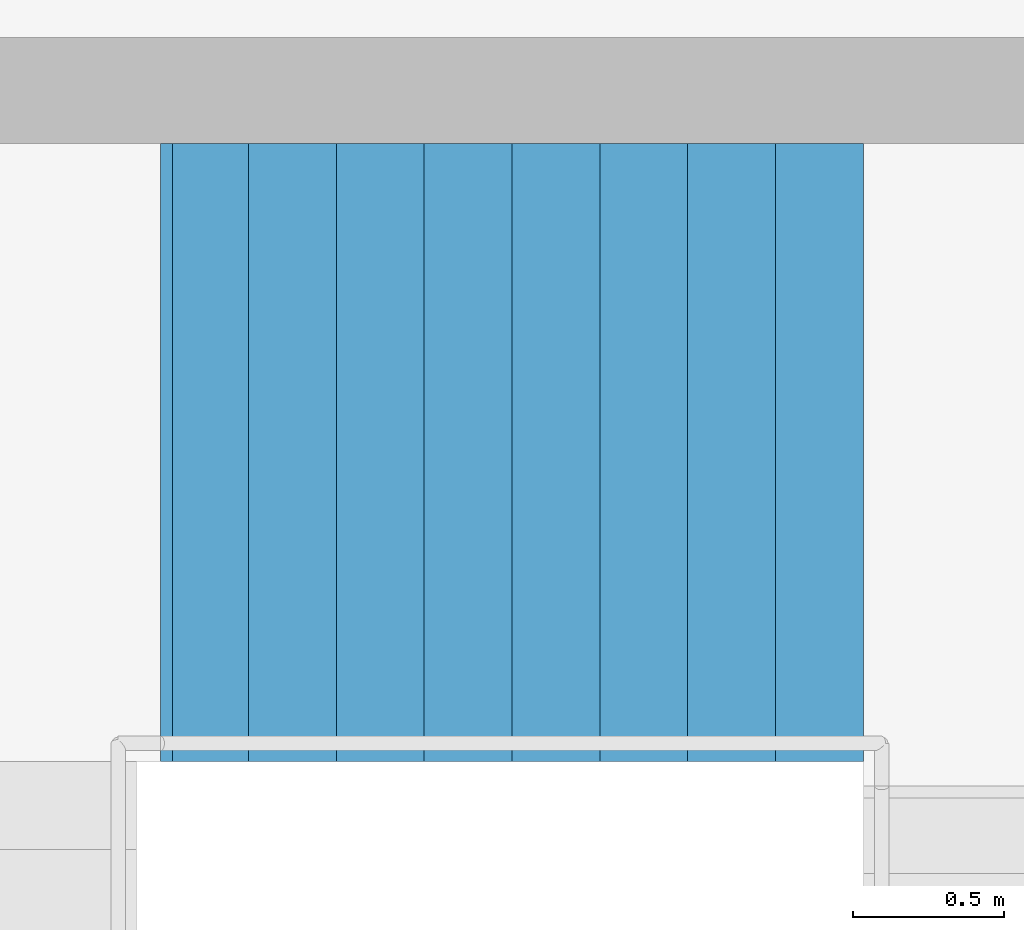
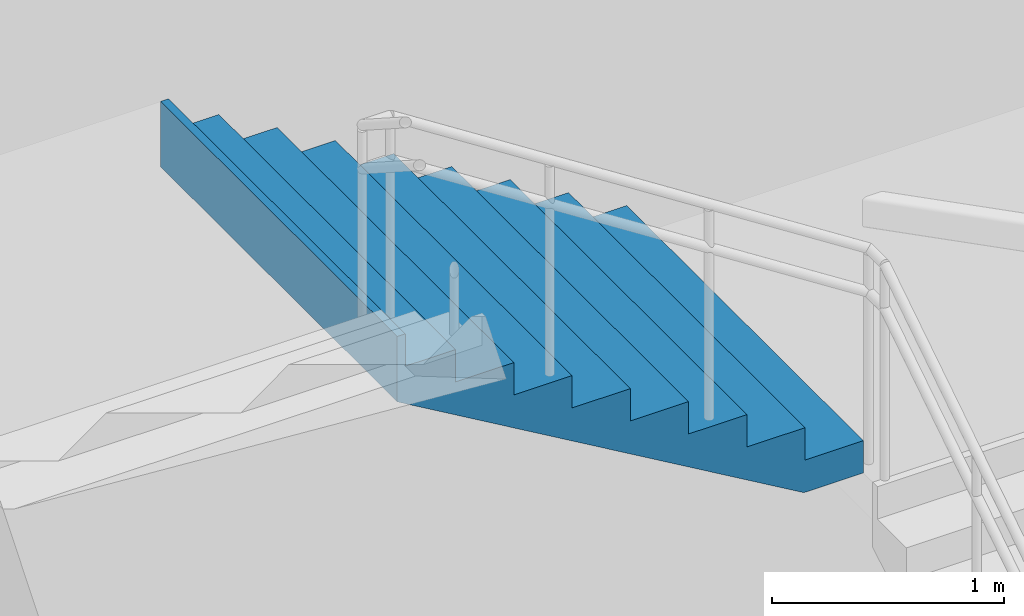
# One storey, part 38 of 46: 1 stair flight, 1 element without a shape of its own.
"""IFC4 building model written with IfcOpenShell, lengths in metres."""

from ifc_helpers import new_model, si_unit, direction, frame, origin, place, context, subcontext, project, spatial, triangles, material, type_object, element, aggregate, save


model = new_model("IFC4")

# Units and contexts
model_context = context("Model", 3, precision=1e-05, world=origin(), true_north=direction((0.0, 1.0)))
body_context = subcontext(model_context, "Body", "Model", "MODEL_VIEW")
ifc_project = project(units=[si_unit("LENGTHUNIT", "METRE"), si_unit("AREAUNIT", "SQUARE_METRE"), si_unit("VOLUMEUNIT", "CUBIC_METRE"), si_unit("PLANEANGLEUNIT", "RADIAN"), si_unit("MASSUNIT", "GRAM", prefix="KILO")], contexts=[model_context])

# Site, building, storey
site_placement = place(None, origin())
site = spatial("IfcSite", under=ifc_project, at=site_placement, CompositionType="ELEMENT")
building_placement = place(site_placement, origin())
building = spatial("IfcBuilding", under=site, at=building_placement, Name="Sillaruma Civic Art Gallery", CompositionType="ELEMENT")
storey_placement = place(building_placement, frame((0.0, 0.0, 16.320068359375)))
storey = spatial("IfcBuildingStorey", under=building, at=storey_placement, Name="L03", CompositionType="ELEMENT", Elevation=16.320068359375)

# Stair, stair flight
ifc_material = material(Name="Concrete H35 (35 MPa)", Category="concrete")
stair_type = type_object("IfcStairType", Name="STR-4F-36", PredefinedType="USERDEFINED", material=ifc_material)
stair_placement = place(storey_placement, origin())
stair = element("IfcStair", 1, at=stair_placement, inside=storey, type_object=stair_type, Name="Protected Exit Stair ST-04 (East Bar) (L03)", ObjectType="THREE_RETURN_STAIR", PredefinedType="USERDEFINED")
stair_flight_type = type_object("IfcStairFlightType", Name="SFL-STR-9", PredefinedType="STRAIGHT", material=ifc_material)
stair_flight_placement = place(storey_placement, frame((103.300048828125, 56.669921875, 3.059814453125), z_axis=(0.0, 0.0, 1.0), x_axis=(-1.0, 0.0, 0.0)))
stair_flight = element("IfcStairFlight", 2, at=stair_flight_placement, type_object=stair_flight_type, Name="ST-04 flight 3", NumberOfRisers=9, NumberOfTreads=8, PredefinedType="STRAIGHT", RiserHeight=0.17, TreadLength=0.29, context=body_context, shape_type="Tessellation", body=[
    triangles([(0.0, -1.02001953125, 0.0), (0.29, -1.02001953125, 0.0), (0.296482, -1.02001953125, 0.0), (0.58, -1.02001953125, 0.1662), (0.87, -1.02001953125, 0.3362), (1.16, -1.02001953125, 0.5062), (1.45, -1.02001953125, 0.6762), (1.74, -1.02001953125, 0.8462), (2.03, -1.02001953125, 1.0162), (2.280068, -1.02001953125, 1.162792), (2.320068, -1.02001953125, 1.18624), (2.320068, -1.02001953125, 1.53), (2.280068, -1.02001953125, 1.53), (2.280068, -1.02001953125, 1.36), (2.03, -1.02001953125, 1.36), (2.03, -1.02001953125, 1.19), (1.74, -1.02001953125, 1.19), (1.74, -1.02001953125, 1.02), (1.45, -1.02001953125, 1.02), (1.45, -1.02001953125, 0.85), (1.16, -1.02001953125, 0.85), (1.16, -1.02001953125, 0.68), (0.87, -1.02001953125, 0.68), (0.87, -1.02001953125, 0.51), (0.58, -1.02001953125, 0.51), (0.58, -1.02001953125, 0.34), (0.296482, -1.02001953125, 0.34), (0.29, -1.02001953125, 0.34), (0.29, -1.02001953125, 0.17), (0.0, -1.02001953125, 0.17), (0.0, -0.05, 0.0), (0.29, -0.05, 0.0), (0.296482, -0.05, 0.0), (0.58, -0.05, 0.1662), (0.87, -0.05, 0.3362), (1.16, -0.05, 0.5062), (1.45, -0.05, 0.6762), (1.74, -0.05, 0.8462), (2.03, -0.05, 1.0162), (2.280068, -0.05, 1.162792), (2.320068, -0.05, 1.18624), (2.320068, -0.05, 1.53), (2.280068, -0.05, 1.53), (2.280068, -0.05, 1.36), (2.03, -0.05, 1.36), (2.03, -0.05, 1.19), (1.74, -0.05, 1.19), (1.74, -0.05, 1.02), (1.45, -0.05, 1.02), (1.45, -0.05, 0.85), (1.16, -0.05, 0.85), (1.16, -0.05, 0.68), (0.87, -0.05, 0.68), (0.87, -0.05, 0.51), (0.58, -0.05, 0.51), (0.58, -0.05, 0.34), (0.296482, -0.05, 0.34), (0.29, -0.05, 0.34), (0.29, -0.05, 0.17), (0.0, -0.05, 0.17), (0.0, -0.0375, 0.0), (0.29, -0.0375, 0.0), (0.296482, -0.0375, 0.0), (0.58, -0.0375, 0.1662), (0.87, -0.0375, 0.3362), (1.16, -0.0375, 0.5062), (1.45, -0.0375, 0.6762), (1.74, -0.0375, 0.8462), (2.03, -0.0375, 1.0162), (2.280068, -0.0375, 1.162792), (2.320068, -0.0375, 1.18624), (2.320068, -0.0375, 1.53), (2.280068, -0.0375, 1.53), (2.280068, -0.0375, 1.36), (2.03, -0.0375, 1.36), (2.03, -0.0375, 1.19), (1.74, -0.0375, 1.19), (1.74, -0.0375, 1.02), (1.45, -0.0375, 1.02), (1.45, -0.0375, 0.85), (1.16, -0.0375, 0.85), (1.16, -0.0375, 0.68), (0.87, -0.0375, 0.68), (0.87, -0.0375, 0.51), (0.58, -0.0375, 0.51), (0.58, -0.0375, 0.34), (0.296482, -0.0375, 0.34), (0.29, -0.0375, 0.34), (0.29, -0.0375, 0.17), (0.0, -0.0375, 0.17), (0.0, -0.025, 0.0), (0.29, -0.025, 0.0), (0.296482, -0.025, 0.0), (0.58, -0.025, 0.1662), (0.87, -0.025, 0.3362), (1.16, -0.025, 0.5062), (1.45, -0.025, 0.6762), (1.74, -0.025, 0.8462), (2.03, -0.025, 1.0162), (2.280068, -0.025, 1.162792), (2.320068, -0.025, 1.18624), (2.320068, -0.025, 1.53), (2.280068, -0.025, 1.53), (2.280068, -0.025, 1.36), (2.03, -0.025, 1.36), (2.03, -0.025, 1.19), (1.74, -0.025, 1.19), (1.74, -0.025, 1.02), (1.45, -0.025, 1.02), (1.45, -0.025, 0.85), (1.16, -0.025, 0.85), (1.16, -0.025, 0.68), (0.87, -0.025, 0.68), (0.87, -0.025, 0.51), (0.58, -0.025, 0.51), (0.58, -0.025, 0.34), (0.296482, -0.025, 0.34), (0.29, -0.025, 0.34), (0.29, -0.025, 0.17), (0.0, -0.025, 0.17), (0.0, -0.0125, 0.0), (0.29, -0.0125, 0.0), (0.296482, -0.0125, 0.0), (0.58, -0.0125, 0.1662), (0.87, -0.0125, 0.3362), (1.16, -0.0125, 0.5062), (1.45, -0.0125, 0.6762), (1.74, -0.0125, 0.8462), (2.03, -0.0125, 1.0162), (2.280068, -0.0125, 1.162792), (2.320068, -0.0125, 1.18624), (2.320068, -0.0125, 1.53), (2.280068, -0.0125, 1.53), (2.280068, -0.0125, 1.36), (2.03, -0.0125, 1.36), (2.03, -0.0125, 1.19), (1.74, -0.0125, 1.19), (1.74, -0.0125, 1.02), (1.45, -0.0125, 1.02), (1.45, -0.0125, 0.85), (1.16, -0.0125, 0.85), (1.16, -0.0125, 0.68), (0.87, -0.0125, 0.68), (0.87, -0.0125, 0.51), (0.58, -0.0125, 0.51), (0.58, -0.0125, 0.34), (0.296482, -0.0125, 0.34), (0.29, -0.0125, 0.34), (0.29, -0.0125, 0.17), (0.0, -0.0125, 0.17), (0.0, 0.0, 0.0), (0.29, 0.0, 0.0), (0.296482, 0.0, 0.0), (0.58, 0.0, 0.1662), (0.87, 0.0, 0.3362), (1.16, 0.0, 0.5062), (1.45, 0.0, 0.6762), (1.74, 0.0, 0.8462), (2.03, 0.0, 1.0162), (2.280068, 0.0, 1.162792), (2.320068, 0.0, 1.18624), (2.320068, 0.0, 1.53), (2.280068, 0.0, 1.53), (2.280068, 0.0, 1.36), (2.03, 0.0, 1.36), (2.03, 0.0, 1.19), (1.74, 0.0, 1.19), (1.74, 0.0, 1.02), (1.45, 0.0, 1.02), (1.45, 0.0, 0.85), (1.16, 0.0, 0.85), (1.16, 0.0, 0.68), (0.87, 0.0, 0.68), (0.87, 0.0, 0.51), (0.58, 0.0, 0.51), (0.58, 0.0, 0.34), (0.296482, 0.0, 0.34), (0.29, 0.0, 0.34), (0.29, 0.0, 0.17), (0.0, 0.0, 0.17), (0.0, 0.0125, 0.0), (0.29, 0.0125, 0.0), (0.296482, 0.0125, 0.0), (0.58, 0.0125, 0.1662), (0.87, 0.0125, 0.3362), (1.16, 0.0125, 0.5062), (1.45, 0.0125, 0.6762), (1.74, 0.0125, 0.8462), (2.03, 0.0125, 1.0162), (2.280068, 0.0125, 1.162792), (2.320068, 0.0125, 1.18624), (2.320068, 0.0125, 1.53), (2.280068, 0.0125, 1.53), (2.280068, 0.0125, 1.36), (2.03, 0.0125, 1.36), (2.03, 0.0125, 1.19), (1.74, 0.0125, 1.19), (1.74, 0.0125, 1.02), (1.45, 0.0125, 1.02), (1.45, 0.0125, 0.85), (1.16, 0.0125, 0.85), (1.16, 0.0125, 0.68), (0.87, 0.0125, 0.68), (0.87, 0.0125, 0.51), (0.58, 0.0125, 0.51), (0.58, 0.0125, 0.34), (0.296482, 0.0125, 0.34), (0.29, 0.0125, 0.34), (0.29, 0.0125, 0.17), (0.0, 0.0125, 0.17), (0.0, 0.025, 0.0), (0.29, 0.025, 0.0), (0.296482, 0.025, 0.0), (0.58, 0.025, 0.1662), (0.87, 0.025, 0.3362), (1.16, 0.025, 0.5062), (1.45, 0.025, 0.6762), (1.74, 0.025, 0.8462), (2.03, 0.025, 1.0162), (2.280068, 0.025, 1.162792), (2.320068, 0.025, 1.18624), (2.320068, 0.025, 1.53), (2.280068, 0.025, 1.53), (2.280068, 0.025, 1.36), (2.03, 0.025, 1.36), (2.03, 0.025, 1.19), (1.74, 0.025, 1.19), (1.74, 0.025, 1.02), (1.45, 0.025, 1.02), (1.45, 0.025, 0.85), (1.16, 0.025, 0.85), (1.16, 0.025, 0.68), (0.87, 0.025, 0.68), (0.87, 0.025, 0.51), (0.58, 0.025, 0.51), (0.58, 0.025, 0.34), (0.296482, 0.025, 0.34), (0.29, 0.025, 0.34), (0.29, 0.025, 0.17), (0.0, 0.025, 0.17), (0.0, 0.0375, 0.0), (0.29, 0.0375, 0.0), (0.296482, 0.0375, 0.0), (0.58, 0.0375, 0.1662), (0.87, 0.0375, 0.3362), (1.16, 0.0375, 0.5062), (1.45, 0.0375, 0.6762), (1.74, 0.0375, 0.8462), (2.03, 0.0375, 1.0162), (2.280068, 0.0375, 1.162792), (2.320068, 0.0375, 1.18624), (2.320068, 0.0375, 1.53), (2.280068, 0.0375, 1.53), (2.280068, 0.0375, 1.36), (2.03, 0.0375, 1.36), (2.03, 0.0375, 1.19), (1.74, 0.0375, 1.19), (1.74, 0.0375, 1.02), (1.45, 0.0375, 1.02), (1.45, 0.0375, 0.85), (1.16, 0.0375, 0.85), (1.16, 0.0375, 0.68), (0.87, 0.0375, 0.68), (0.87, 0.0375, 0.51), (0.58, 0.0375, 0.51), (0.58, 0.0375, 0.34), (0.296482, 0.0375, 0.34), (0.29, 0.0375, 0.34), (0.29, 0.0375, 0.17), (0.0, 0.0375, 0.17), (0.0, 0.05, 0.0), (0.29, 0.05, 0.0), (0.296482, 0.05, 0.0), (0.58, 0.05, 0.1662), (0.87, 0.05, 0.3362), (1.16, 0.05, 0.5062), (1.45, 0.05, 0.6762), (1.74, 0.05, 0.8462), (2.03, 0.05, 1.0162), (2.280068, 0.05, 1.162792), (2.320068, 0.05, 1.18624), (2.320068, 0.05, 1.53), (2.280068, 0.05, 1.53), (2.280068, 0.05, 1.36), (2.03, 0.05, 1.36), (2.03, 0.05, 1.19), (1.74, 0.05, 1.19), (1.74, 0.05, 1.02), (1.45, 0.05, 1.02), (1.45, 0.05, 0.85), (1.16, 0.05, 0.85), (1.16, 0.05, 0.68), (0.87, 0.05, 0.68), (0.87, 0.05, 0.51), (0.58, 0.05, 0.51), (0.58, 0.05, 0.34), (0.296482, 0.05, 0.34), (0.29, 0.05, 0.34), (0.29, 0.05, 0.17), (0.0, 0.05, 0.17), (0.0, 1.02001953125, 0.0), (0.29, 1.02001953125, 0.0), (0.296482, 1.02001953125, 0.0), (0.58, 1.02001953125, 0.1662), (0.87, 1.02001953125, 0.3362), (1.16, 1.02001953125, 0.5062), (1.45, 1.02001953125, 0.6762), (1.74, 1.02001953125, 0.8462), (2.03, 1.02001953125, 1.0162), (2.280068, 1.02001953125, 1.162792), (2.320068, 1.02001953125, 1.18624), (2.320068, 1.02001953125, 1.53), (2.280068, 1.02001953125, 1.53), (2.280068, 1.02001953125, 1.36), (2.03, 1.02001953125, 1.36), (2.03, 1.02001953125, 1.19), (1.74, 1.02001953125, 1.19), (1.74, 1.02001953125, 1.02), (1.45, 1.02001953125, 1.02), (1.45, 1.02001953125, 0.85), (1.16, 1.02001953125, 0.85), (1.16, 1.02001953125, 0.68), (0.87, 1.02001953125, 0.68), (0.87, 1.02001953125, 0.51), (0.58, 1.02001953125, 0.51), (0.58, 1.02001953125, 0.34), (0.296482, 1.02001953125, 0.34), (0.29, 1.02001953125, 0.34), (0.29, 1.02001953125, 0.17), (0.0, 1.02001953125, 0.17)], [[1, 2, 29], [1, 29, 30], [2, 3, 27], [2, 27, 29], [29, 27, 28], [3, 4, 26], [3, 26, 27], [4, 5, 24], [4, 24, 26], [26, 24, 25], [5, 6, 22], [5, 22, 24], [24, 22, 23], [6, 7, 20], [6, 20, 22], [22, 20, 21], [7, 8, 18], [7, 18, 20], [20, 18, 19], [8, 9, 16], [8, 16, 18], [18, 16, 17], [9, 10, 14], [9, 14, 16], [16, 14, 15], [10, 11, 12], [10, 12, 14], [14, 12, 13], [329, 302, 301], [330, 329, 301], [327, 303, 302], [329, 327, 302], [328, 327, 329], [326, 304, 303], [327, 326, 303], [324, 305, 304], [326, 324, 304], [325, 324, 326], [322, 306, 305], [324, 322, 305], [323, 322, 324], [320, 307, 306], [322, 320, 306], [321, 320, 322], [318, 308, 307], [320, 318, 307], [319, 318, 320], [316, 309, 308], [318, 316, 308], [317, 316, 318], [314, 310, 309], [316, 314, 309], [315, 314, 316], [312, 311, 310], [314, 312, 310], [313, 312, 314], [2, 1, 31], [2, 31, 32], [3, 2, 32], [3, 32, 33], [4, 3, 33], [4, 33, 34], [5, 4, 34], [5, 34, 35], [6, 5, 35], [6, 35, 36], [7, 6, 36], [7, 36, 37], [8, 7, 37], [8, 37, 38], [9, 8, 38], [9, 38, 39], [10, 9, 39], [10, 39, 40], [11, 10, 40], [11, 40, 41], [12, 11, 41], [12, 41, 42], [13, 12, 42], [13, 42, 43], [14, 13, 43], [14, 43, 44], [15, 14, 44], [15, 44, 45], [16, 15, 45], [16, 45, 46], [17, 16, 46], [17, 46, 47], [18, 17, 47], [18, 47, 48], [19, 18, 48], [19, 48, 49], [20, 19, 49], [20, 49, 50], [21, 20, 50], [21, 50, 51], [22, 21, 51], [22, 51, 52], [23, 22, 52], [23, 52, 53], [24, 23, 53], [24, 53, 54], [25, 24, 54], [25, 54, 55], [26, 25, 55], [26, 55, 56], [27, 26, 56], [27, 56, 57], [28, 27, 57], [28, 57, 58], [29, 28, 58], [29, 58, 59], [30, 29, 59], [30, 59, 60], [1, 30, 60], [1, 60, 31], [32, 31, 61], [32, 61, 62], [33, 32, 62], [33, 62, 63], [34, 33, 63], [34, 63, 64], [35, 34, 64], [35, 64, 65], [36, 35, 65], [36, 65, 66], [37, 36, 66], [37, 66, 67], [38, 37, 67], [38, 67, 68], [39, 38, 68], [39, 68, 69], [40, 39, 69], [40, 69, 70], [41, 40, 70], [41, 70, 71], [42, 41, 71], [42, 71, 72], [43, 42, 72], [43, 72, 73], [44, 43, 73], [44, 73, 74], [45, 44, 74], [45, 74, 75], [46, 45, 75], [46, 75, 76], [47, 46, 76], [47, 76, 77], [48, 47, 77], [48, 77, 78], [49, 48, 78], [49, 78, 79], [50, 49, 79], [50, 79, 80], [51, 50, 80], [51, 80, 81], [52, 51, 81], [52, 81, 82], [53, 52, 82], [53, 82, 83], [54, 53, 83], [54, 83, 84], [55, 54, 84], [55, 84, 85], [56, 55, 85], [56, 85, 86], [57, 56, 86], [57, 86, 87], [58, 57, 87], [58, 87, 88], [59, 58, 88], [59, 88, 89], [60, 59, 89], [60, 89, 90], [31, 60, 90], [31, 90, 61], [62, 61, 91], [62, 91, 92], [63, 62, 92], [63, 92, 93], [64, 63, 93], [64, 93, 94], [65, 64, 94], [65, 94, 95], [66, 65, 95], [66, 95, 96], [67, 66, 96], [67, 96, 97], [68, 67, 97], [68, 97, 98], [69, 68, 98], [69, 98, 99], [70, 69, 99], [70, 99, 100], [71, 70, 100], [71, 100, 101], [72, 71, 101], [72, 101, 102], [73, 72, 102], [73, 102, 103], [74, 73, 103], [74, 103, 104], [75, 74, 104], [75, 104, 105], [76, 75, 105], [76, 105, 106], [77, 76, 106], [77, 106, 107], [78, 77, 107], [78, 107, 108], [79, 78, 108], [79, 108, 109], [80, 79, 109], [80, 109, 110], [81, 80, 110], [81, 110, 111], [82, 81, 111], [82, 111, 112], [83, 82, 112], [83, 112, 113], [84, 83, 113], [84, 113, 114], [85, 84, 114], [85, 114, 115], [86, 85, 115], [86, 115, 116], [87, 86, 116], [87, 116, 117], [88, 87, 117], [88, 117, 118], [89, 88, 118], [89, 118, 119], [90, 89, 119], [90, 119, 120], [61, 90, 120], [61, 120, 91], [92, 91, 121], [92, 121, 122], [93, 92, 122], [93, 122, 123], [94, 93, 123], [94, 123, 124], [95, 94, 124], [95, 124, 125], [96, 95, 125], [96, 125, 126], [97, 96, 126], [97, 126, 127], [98, 97, 127], [98, 127, 128], [99, 98, 128], [99, 128, 129], [100, 99, 129], [100, 129, 130], [101, 100, 130], [101, 130, 131], [102, 101, 131], [102, 131, 132], [103, 102, 132], [103, 132, 133], [104, 103, 133], [104, 133, 134], [105, 104, 134], [105, 134, 135], [106, 105, 135], [106, 135, 136], [107, 106, 136], [107, 136, 137], [108, 107, 137], [108, 137, 138], [109, 108, 138], [109, 138, 139], [110, 109, 139], [110, 139, 140], [111, 110, 140], [111, 140, 141], [112, 111, 141], [112, 141, 142], [113, 112, 142], [113, 142, 143], [114, 113, 143], [114, 143, 144], [115, 114, 144], [115, 144, 145], [116, 115, 145], [116, 145, 146], [117, 116, 146], [117, 146, 147], [118, 117, 147], [118, 147, 148], [119, 118, 148], [119, 148, 149], [120, 119, 149], [120, 149, 150], [91, 120, 150], [91, 150, 121], [122, 121, 151], [122, 151, 152], [123, 122, 152], [123, 152, 153], [124, 123, 153], [124, 153, 154], [125, 124, 154], [125, 154, 155], [126, 125, 155], [126, 155, 156], [127, 126, 156], [127, 156, 157], [128, 127, 157], [128, 157, 158], [129, 128, 158], [129, 158, 159], [130, 129, 159], [130, 159, 160], [131, 130, 160], [131, 160, 161], [132, 131, 161], [132, 161, 162], [133, 132, 162], [133, 162, 163], [134, 133, 163], [134, 163, 164], [135, 134, 164], [135, 164, 165], [136, 135, 165], [136, 165, 166], [137, 136, 166], [137, 166, 167], [138, 137, 167], [138, 167, 168], [139, 138, 168], [139, 168, 169], [140, 139, 169], [140, 169, 170], [141, 140, 170], [141, 170, 171], [142, 141, 171], [142, 171, 172], [143, 142, 172], [143, 172, 173], [144, 143, 173], [144, 173, 174], [145, 144, 174], [145, 174, 175], [146, 145, 175], [146, 175, 176], [147, 146, 176], [147, 176, 177], [148, 147, 177], [148, 177, 178], [149, 148, 178], [149, 178, 179], [150, 149, 179], [150, 179, 180], [121, 150, 180], [121, 180, 151], [152, 151, 181], [152, 181, 182], [153, 152, 182], [153, 182, 183], [154, 153, 183], [154, 183, 184], [155, 154, 184], [155, 184, 185], [156, 155, 185], [156, 185, 186], [157, 156, 186], [157, 186, 187], [158, 157, 187], [158, 187, 188], [159, 158, 188], [159, 188, 189], [160, 159, 189], [160, 189, 190], [161, 160, 190], [161, 190, 191], [162, 161, 191], [162, 191, 192], [163, 162, 192], [163, 192, 193], [164, 163, 193], [164, 193, 194], [165, 164, 194], [165, 194, 195], [166, 165, 195], [166, 195, 196], [167, 166, 196], [167, 196, 197], [168, 167, 197], [168, 197, 198], [169, 168, 198], [169, 198, 199], [170, 169, 199], [170, 199, 200], [171, 170, 200], [171, 200, 201], [172, 171, 201], [172, 201, 202], [173, 172, 202], [173, 202, 203], [174, 173, 203], [174, 203, 204], [175, 174, 204], [175, 204, 205], [176, 175, 205], [176, 205, 206], [177, 176, 206], [177, 206, 207], [178, 177, 207], [178, 207, 208], [179, 178, 208], [179, 208, 209], [180, 179, 209], [180, 209, 210], [151, 180, 210], [151, 210, 181], [182, 181, 211], [182, 211, 212], [183, 182, 212], [183, 212, 213], [184, 183, 213], [184, 213, 214], [185, 184, 214], [185, 214, 215], [186, 185, 215], [186, 215, 216], [187, 186, 216], [187, 216, 217], [188, 187, 217], [188, 217, 218], [189, 188, 218], [189, 218, 219], [190, 189, 219], [190, 219, 220], [191, 190, 220], [191, 220, 221], [192, 191, 221], [192, 221, 222], [193, 192, 222], [193, 222, 223], [194, 193, 223], [194, 223, 224], [195, 194, 224], [195, 224, 225], [196, 195, 225], [196, 225, 226], [197, 196, 226], [197, 226, 227], [198, 197, 227], [198, 227, 228], [199, 198, 228], [199, 228, 229], [200, 199, 229], [200, 229, 230], [201, 200, 230], [201, 230, 231], [202, 201, 231], [202, 231, 232], [203, 202, 232], [203, 232, 233], [204, 203, 233], [204, 233, 234], [205, 204, 234], [205, 234, 235], [206, 205, 235], [206, 235, 236], [207, 206, 236], [207, 236, 237], [208, 207, 237], [208, 237, 238], [209, 208, 238], [209, 238, 239], [210, 209, 239], [210, 239, 240], [181, 210, 240], [181, 240, 211], [212, 211, 241], [212, 241, 242], [213, 212, 242], [213, 242, 243], [214, 213, 243], [214, 243, 244], [215, 214, 244], [215, 244, 245], [216, 215, 245], [216, 245, 246], [217, 216, 246], [217, 246, 247], [218, 217, 247], [218, 247, 248], [219, 218, 248], [219, 248, 249], [220, 219, 249], [220, 249, 250], [221, 220, 250], [221, 250, 251], [222, 221, 251], [222, 251, 252], [223, 222, 252], [223, 252, 253], [224, 223, 253], [224, 253, 254], [225, 224, 254], [225, 254, 255], [226, 225, 255], [226, 255, 256], [227, 226, 256], [227, 256, 257], [228, 227, 257], [228, 257, 258], [229, 228, 258], [229, 258, 259], [230, 229, 259], [230, 259, 260], [231, 230, 260], [231, 260, 261], [232, 231, 261], [232, 261, 262], [233, 232, 262], [233, 262, 263], [234, 233, 263], [234, 263, 264], [235, 234, 264], [235, 264, 265], [236, 235, 265], [236, 265, 266], [237, 236, 266], [237, 266, 267], [238, 237, 267], [238, 267, 268], [239, 238, 268], [239, 268, 269], [240, 239, 269], [240, 269, 270], [211, 240, 270], [211, 270, 241], [242, 241, 271], [242, 271, 272], [243, 242, 272], [243, 272, 273], [244, 243, 273], [244, 273, 274], [245, 244, 274], [245, 274, 275], [246, 245, 275], [246, 275, 276], [247, 246, 276], [247, 276, 277], [248, 247, 277], [248, 277, 278], [249, 248, 278], [249, 278, 279], [250, 249, 279], [250, 279, 280], [251, 250, 280], [251, 280, 281], [252, 251, 281], [252, 281, 282], [253, 252, 282], [253, 282, 283], [254, 253, 283], [254, 283, 284], [255, 254, 284], [255, 284, 285], [256, 255, 285], [256, 285, 286], [257, 256, 286], [257, 286, 287], [258, 257, 287], [258, 287, 288], [259, 258, 288], [259, 288, 289], [260, 259, 289], [260, 289, 290], [261, 260, 290], [261, 290, 291], [262, 261, 291], [262, 291, 292], [263, 262, 292], [263, 292, 293], [264, 263, 293], [264, 293, 294], [265, 264, 294], [265, 294, 295], [266, 265, 295], [266, 295, 296], [267, 266, 296], [267, 296, 297], [268, 267, 297], [268, 297, 298], [269, 268, 298], [269, 298, 299], [270, 269, 299], [270, 299, 300], [241, 270, 300], [241, 300, 271], [272, 271, 301], [272, 301, 302], [273, 272, 302], [273, 302, 303], [274, 273, 303], [274, 303, 304], [275, 274, 304], [275, 304, 305], [276, 275, 305], [276, 305, 306], [277, 276, 306], [277, 306, 307], [278, 277, 307], [278, 307, 308], [279, 278, 308], [279, 308, 309], [280, 279, 309], [280, 309, 310], [281, 280, 310], [281, 310, 311], [282, 281, 311], [282, 311, 312], [283, 282, 312], [283, 312, 313], [284, 283, 313], [284, 313, 314], [285, 284, 314], [285, 314, 315], [286, 285, 315], [286, 315, 316], [287, 286, 316], [287, 316, 317], [288, 287, 317], [288, 317, 318], [289, 288, 318], [289, 318, 319], [290, 289, 319], [290, 319, 320], [291, 290, 320], [291, 320, 321], [292, 291, 321], [292, 321, 322], [293, 292, 322], [293, 322, 323], [294, 293, 323], [294, 323, 324], [295, 294, 324], [295, 324, 325], [296, 295, 325], [296, 325, 326], [297, 296, 326], [297, 326, 327], [298, 297, 327], [298, 327, 328], [299, 298, 328], [299, 328, 329], [300, 299, 329], [300, 329, 330], [271, 300, 330], [271, 330, 301]], closed=True),
])
aggregate(stair, [stair_flight])

save(model, "model.ifc")
